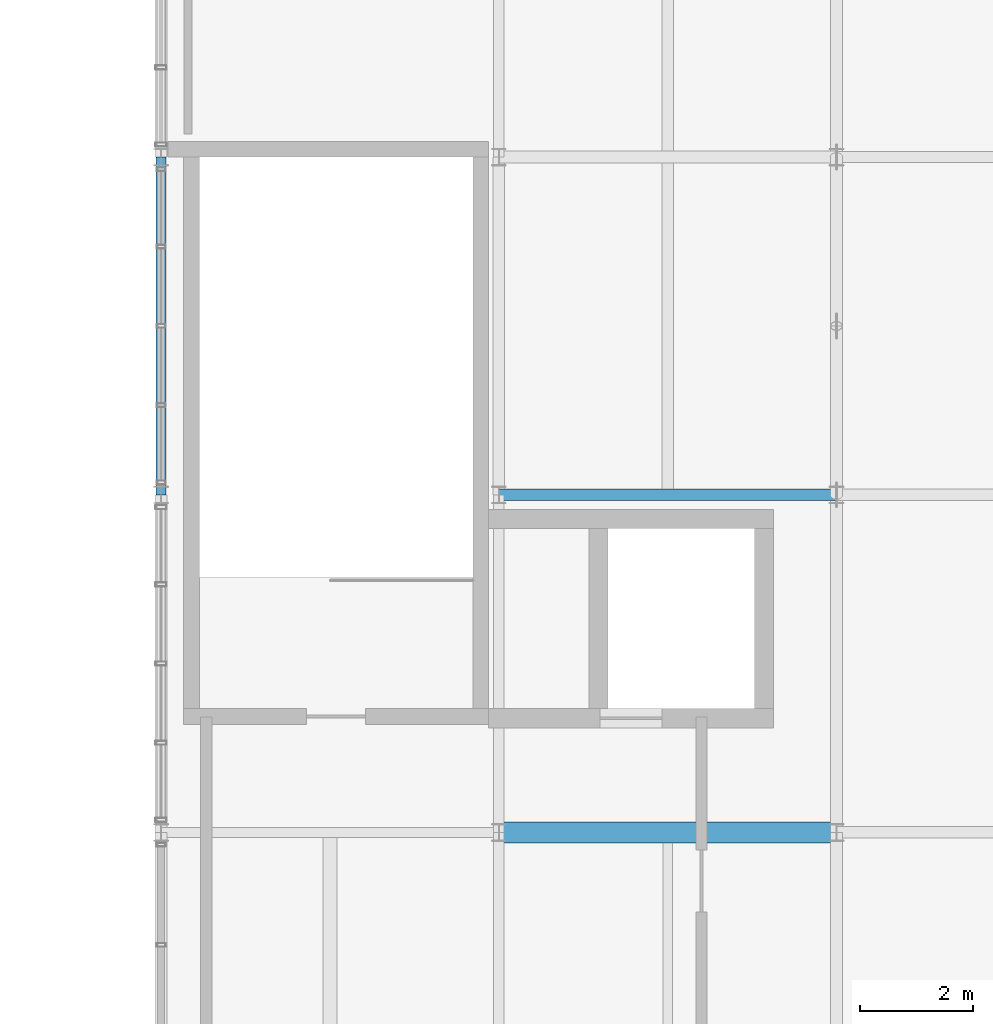
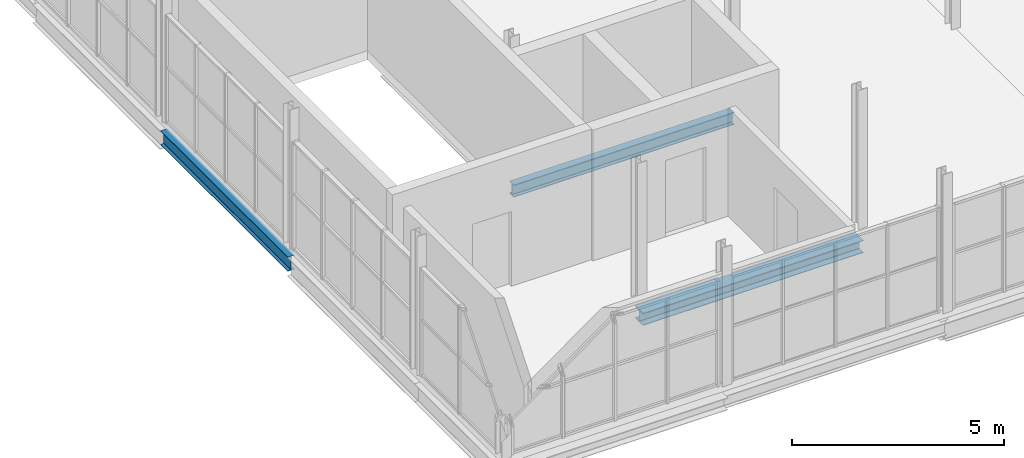
# One storey, part 62 of 96: 3 beams.
"""IFC4 building model written with IfcOpenShell, lengths in metres."""

from ifc_helpers import new_model, si_unit, direction, frame, origin, origin_2d, place, context, subcontext, project, spatial, i_section, extrude, material, material_profile, profile_set, type_object, element, save


model = new_model("IFC4")

# Units and contexts
model_context = context("Model", 3, precision=1e-05, world=origin(), true_north=direction((0.0, 1.0)))
body_context = subcontext(model_context, "Body", "Model", "MODEL_VIEW")
ifc_project = project(units=[si_unit("LENGTHUNIT", "METRE"), si_unit("AREAUNIT", "SQUARE_METRE"), si_unit("VOLUMEUNIT", "CUBIC_METRE"), si_unit("PLANEANGLEUNIT", "RADIAN"), si_unit("MASSUNIT", "GRAM", prefix="KILO")], contexts=[model_context])

# Site, building, storey
site_placement = place(None, origin())
site = spatial("IfcSite", under=ifc_project, at=site_placement, CompositionType="ELEMENT")
building_placement = place(site_placement, origin())
building = spatial("IfcBuilding", under=site, at=building_placement, Name="Verrall Gate Interchange", CompositionType="ELEMENT")
storey_placement = place(building_placement, frame((0.0, 0.0, 11.39990234375)))
storey = spatial("IfcBuildingStorey", under=building, at=storey_placement, Name="L03", CompositionType="ELEMENT", Elevation=11.39990234375)

# Beams
ifc_material_1 = material(Name="Structural Steel CSA G40.21 350W", Category="steel")
ifc_material_profile_1 = material_profile(ifc_material_1, i_section(OverallWidth=0.178955078125, OverallDepth=0.409912109375, WebThickness=0.0087890625, FlangeThickness=0.014404296875, FilletRadius=0.011962890625, at=origin_2d()), Name="W410x67")
ifc_profile_set_1 = profile_set([ifc_material_profile_1], Name="Structural Steel CSA G40.21 350W")
beam_type_1 = type_object("IfcBeamType", Name="B-12 Structural Beam W410x67", PredefinedType="BEAM", material=ifc_profile_set_1)
beam_1_placement = place(storey_placement, frame((132.0, 22.0, -0.534912109375), z_axis=(0.0, 1.0, 0.0), x_axis=(-1.0, 0.0, 0.0)))
element("IfcBeam", 1, at=beam_1_placement, inside=storey, type_object=beam_type_1, Name="L03 Girder BM-L03-2325 (B-12)", PredefinedType="BEAM", context=body_context, shape_type="SweptSolid", body=[
    extrude(i_section(OverallWidth=0.178955078125, OverallDepth=0.409912109375, WebThickness=0.0087890625, FlangeThickness=0.014404296875, FilletRadius=0.011962890625, at=origin_2d()), origin(), (0.0, 0.0, 1.0), 6.0),
])
ifc_material_2 = material(Name="Structural Steel CSA G40.21 350W", Category="steel")
ifc_material_profile_2 = material_profile(ifc_material_2, i_section(OverallWidth=0.368896484375, OverallDepth=0.35595703125, WebThickness=0.01123046875, FlangeThickness=0.01806640625, FilletRadius=0.014892578125, at=origin_2d()), Name="W360x134")
ifc_profile_set_2 = profile_set([ifc_material_profile_2], Name="Structural Steel CSA G40.21 350W")
beam_type_2 = type_object("IfcBeamType", Name="B-13 Structural Beam W360x134", PredefinedType="BEAM", material=ifc_profile_set_2)
beam_2_placement = place(storey_placement, frame((138.0, 16.0, -0.5078125), z_axis=(1.0, 0.0, 0.0), x_axis=(0.0, 1.0, 0.0)))
element("IfcBeam", 2, at=beam_2_placement, inside=storey, type_object=beam_type_2, Name="L03 Girder BM-L03-2039 (B-13)", PredefinedType="BEAM", context=body_context, shape_type="SweptSolid", body=[
    extrude(i_section(OverallWidth=0.368896484375, OverallDepth=0.35595703125, WebThickness=0.01123046875, FlangeThickness=0.01806640625, FilletRadius=0.014892578125, at=origin_2d()), origin(), (0.0, 0.0, 1.0), 6.0),
])
ifc_material_3 = material(Name="Structural Steel CSA G40.21 350W", Category="steel")
ifc_material_profile_3 = material_profile(ifc_material_3, i_section(OverallWidth=0.205078125, OverallDepth=0.35400390625, WebThickness=0.009521484375, FlangeThickness=0.016845703125, FilletRadius=0.012939453125, at=origin_2d()), Name="W360x79")
ifc_profile_set_3 = profile_set([ifc_material_profile_3], Name="Structural Steel CSA G40.21 350W")
beam_type_3 = type_object("IfcBeamType", Name="B-14 Structural Beam W360x79", PredefinedType="BEAM", material=ifc_profile_set_3)
beam_3_placement = place(storey_placement, frame((138.0, 22.0, -0.5068359375), z_axis=(1.0, 0.0, 0.0), x_axis=(0.0, 1.0, 0.0)))
element("IfcBeam", 3, at=beam_3_placement, inside=storey, type_object=beam_type_3, Name="L03 Girder BM-L03-2050 (B-14)", PredefinedType="BEAM", context=body_context, shape_type="SweptSolid", body=[
    extrude(i_section(OverallWidth=0.205078125, OverallDepth=0.35400390625, WebThickness=0.009521484375, FlangeThickness=0.016845703125, FilletRadius=0.012939453125, at=origin_2d()), origin(), (0.0, 0.0, 1.0), 6.0),
])

save(model, "model.ifc")
